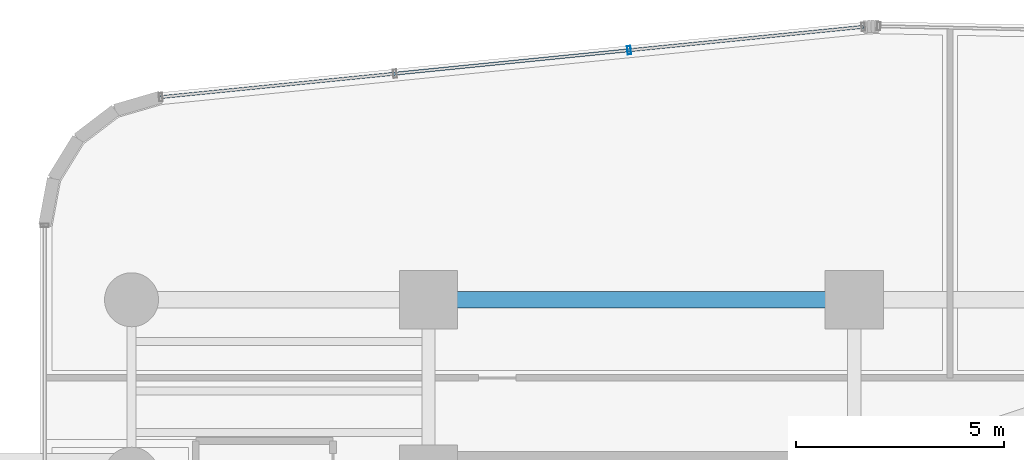
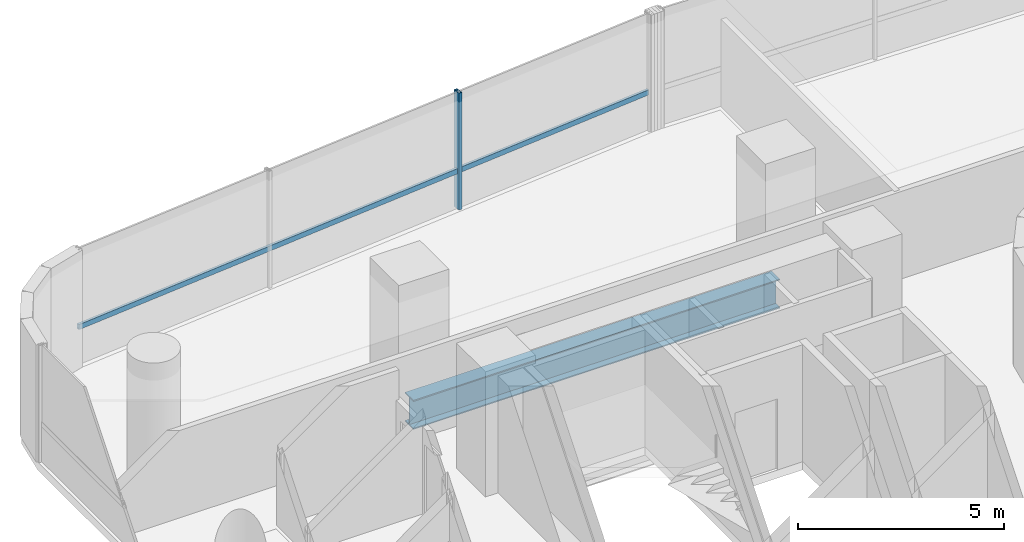
# One storey, part 18 of 39: 2 members, 1 beam, 1 element without a shape of its own.
"""IFC4 building model written with IfcOpenShell, lengths in metres."""

from ifc_helpers import new_model, si_unit, direction, frame, origin, origin_2d, place, context, subcontext, project, spatial, hollow_rectangle, i_section, extrude, source, transform, mapped, material, material_profile, profile_set, type_object, element, aggregate, save


model = new_model("IFC4")

# Units and contexts
model_context = context("Model", 3, precision=1e-05, world=origin(), true_north=direction((0.0, 1.0)))
body_context = subcontext(model_context, "Body", "Model", "MODEL_VIEW")
ifc_project = project(units=[si_unit("LENGTHUNIT", "METRE"), si_unit("AREAUNIT", "SQUARE_METRE"), si_unit("VOLUMEUNIT", "CUBIC_METRE"), si_unit("PLANEANGLEUNIT", "RADIAN"), si_unit("MASSUNIT", "GRAM", prefix="KILO")], contexts=[model_context])

# Site, building, storey
site_placement = place(None, origin())
site = spatial("IfcSite", under=ifc_project, at=site_placement, CompositionType="ELEMENT")
building_placement = place(site_placement, origin())
building = spatial("IfcBuilding", under=site, at=building_placement, Name="Valdorenza Pilgrim Sanctuary Tower", CompositionType="ELEMENT")
storey_placement = place(building_placement, frame((0.0, 0.0, 70.39990234375)))
storey = spatial("IfcBuildingStorey", under=building, at=storey_placement, Name="L17", CompositionType="ELEMENT", Elevation=70.39990234375)

# Beam
ifc_material_1 = material(Name="Steel ASTM A992 Grade 50", Category="steel")
ifc_material_profile_1 = material_profile(ifc_material_1, i_section(OverallWidth=0.39990234375, OverallDepth=0.862060546875, WebThickness=0.019775390625, FlangeThickness=0.032470703125, at=origin_2d()), Name="W33X221")
ifc_profile_set_1 = profile_set([ifc_material_profile_1], Name="Steel ASTM A992 Grade 50")
beam_type = type_object("IfcBeamType", Name="STR-BM-GRD-W33", PredefinedType="BEAM", material=ifc_profile_set_1)
shared_shape_1 = source(origin(), body_context, "Body", "SweptSolid", [
    extrude(i_section(OverallWidth=0.39990234375, OverallDepth=0.862060546875, WebThickness=0.019775390625, FlangeThickness=0.032470703125, at=origin_2d()), origin(), (0.0, 0.0, 1.0), 10.25),
])
beam_placement = place(storey_placement, frame((-22.64990234375, 14.800048828125, -0.6708984375), z_axis=(1.0, 0.0, 0.0), x_axis=(0.0, 1.0, 0.0)))
element("IfcBeam", 1, at=beam_placement, inside=storey, type_object=beam_type, Name="L17 Floor Girder CA-XC-N2", PredefinedType="BEAM", context=body_context, shape_type="MappedRepresentation", body=[
    mapped(shared_shape_1, transform((0.0, 0.0, 0.0), x_axis=(1.0, 0.0, 0.0), y_axis=(0.0, 1.0, 0.0), z_axis=(0.0, 0.0, 1.0), scale=1.0)),
])

# Curtain wall, members
ifc_material_2 = material(Name="Curtain-wall IGU glazing", Category="glass")
curtain_wall_type = type_object("IfcCurtainWallType", Name="CW-SYS-02", PredefinedType="NOTDEFINED", material=ifc_material_2)
curtain_wall_placement = place(storey_placement, origin())
curtain_wall = element("IfcCurtainWall", 2, at=curtain_wall_placement, inside=storey, type_object=curtain_wall_type, Name="L17 Curtain Wall CW-L17-1-6", PredefinedType="NOTDEFINED")
ifc_material_3 = material(Name="Anodised aluminium AW-6060", Category="aluminium")
ifc_material_profile_2 = material_profile(ifc_material_3, hollow_rectangle(XDim=0.074951171875, YDim=0.14990234375, WallThickness=0.00390625, at=origin_2d()), Name="ALU-T 150x75x4")
ifc_profile_set_2 = profile_set([ifc_material_profile_2], Name="Anodised aluminium AW-6060")
member_type_1 = type_object("IfcMemberType", Name="CW-TRN-02", PredefinedType="USERDEFINED", material=ifc_profile_set_2)
shared_shape_2 = source(origin(), body_context, "Body", "SweptSolid", [
    extrude(hollow_rectangle(XDim=0.074951171875, YDim=0.14990234375, WallThickness=0.00390625, at=origin_2d()), origin(), (0.0, 0.0, 1.0), 17.0),
])
member_1_placement = place(storey_placement, frame((-29.097412109375, 19.6796875, 1.1201171875), z_axis=(0.99503662143, 0.099509406661, 0.0), x_axis=(-0.099509406661, 0.99503662143, 0.0)))
member_1 = element("IfcMember", 3, at=member_1_placement, type_object=member_type_1, Name="CW-L17-1-6 Transom 1", ObjectType="TRANSOM", PredefinedType="USERDEFINED", context=body_context, shape_type="MappedRepresentation", body=[
    mapped(shared_shape_2, transform((0.0, 0.0, 0.0), x_axis=(1.0, 0.0, 0.0), y_axis=(0.0, 1.0, 0.0), z_axis=(0.0, 0.0, 1.0), scale=1.0)),
])
ifc_material_profile_3 = material_profile(ifc_material_3, hollow_rectangle(XDim=0.0849609375, YDim=0.199951171875, WallThickness=0.0048828125, at=origin_2d()), Name="ALU-M 200x85x5")
ifc_profile_set_3 = profile_set([ifc_material_profile_3], Name="Anodised aluminium AW-6060")
member_type_2 = type_object("IfcMemberType", Name="CW-MUL-02", PredefinedType="MULLION", material=ifc_profile_set_3)
shared_shape_3 = source(origin(), body_context, "Body", "SweptSolid", [
    extrude(hollow_rectangle(XDim=0.0849609375, YDim=0.199951171875, WallThickness=0.0048828125, at=origin_2d()), origin(), (0.0, 0.0, 1.0), 3.460205078125),
])
member_2_placement = place(storey_placement, frame((-17.820556640625, 20.8076171875, 0.0), z_axis=(0.0, 0.0, 1.0), x_axis=(0.995038220239, 0.099493418189, 0.0)))
member_2 = element("IfcMember", 4, at=member_2_placement, type_object=member_type_2, Name="CW-L17-1-6 Mullion 3", PredefinedType="MULLION", context=body_context, shape_type="MappedRepresentation", body=[
    mapped(shared_shape_3, transform((0.0, 0.0, 0.0), x_axis=(1.0, 0.0, 0.0), y_axis=(0.0, 1.0, 0.0), z_axis=(0.0, 0.0, 1.0), scale=1.0)),
])
aggregate(curtain_wall, [member_2, member_1])

save(model, "model.ifc")
